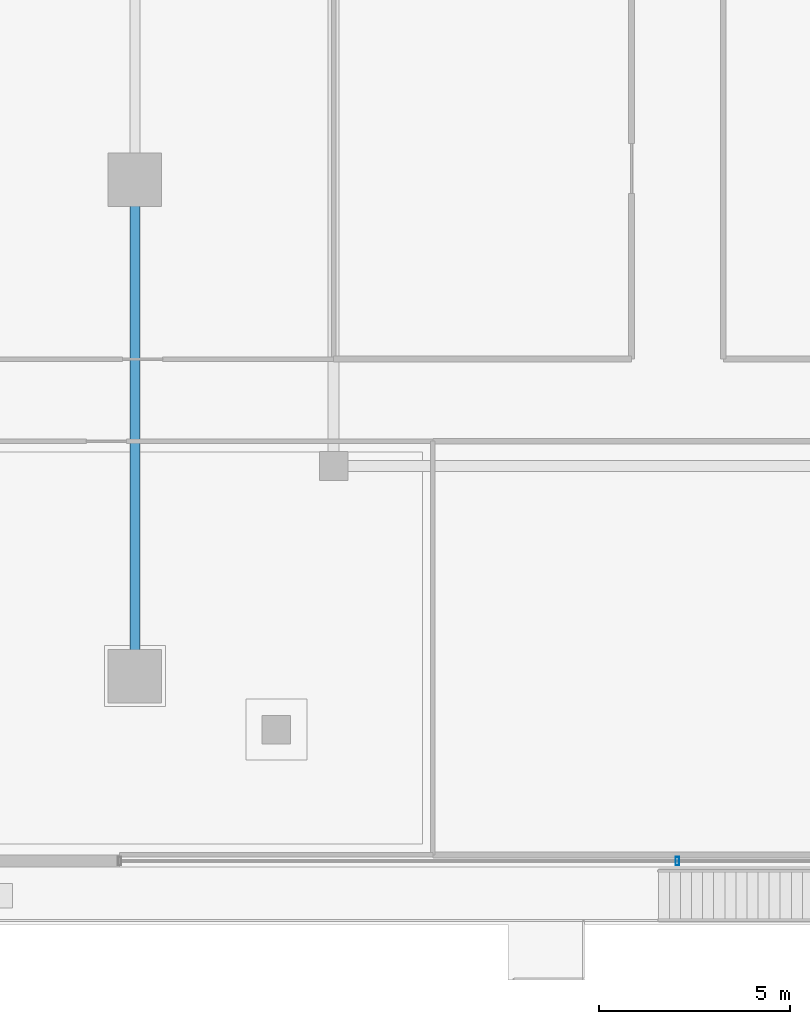
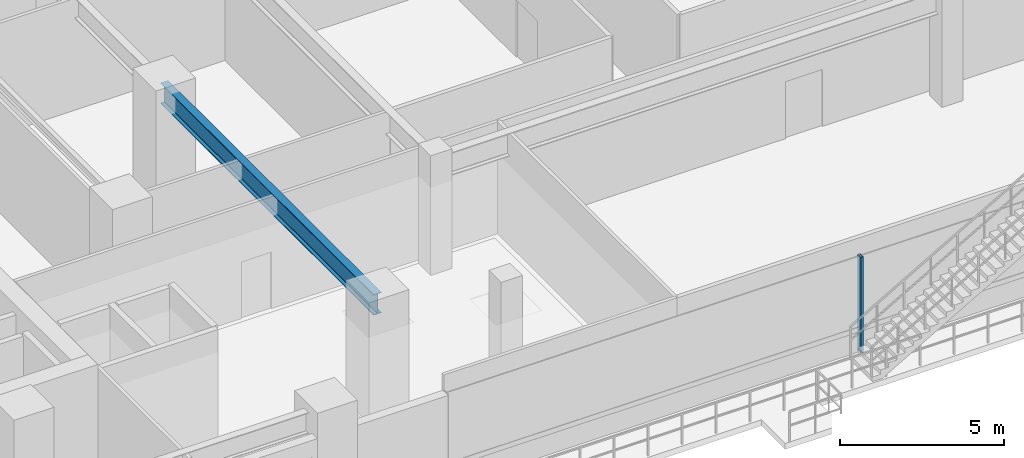
# One storey, part 3 of 24: 1 beam, 1 member, 1 element without a shape of its own.
"""IFC4 building model written with IfcOpenShell, lengths in metres."""

import ifcopenshell
import ifcopenshell.guid

model = None  # the IFC model being written
_history = None  # IfcOwnerHistory: only IFC2X3 demands one
_inside = {}  # id of a spatial element -> (the spatial element, [elements in it])
_under = {}  # id of a project, library or spatial element -> (it, [spatial elements below it])
_declared = {}  # id of a project -> (the project, [libraries it declares])
_typed = {}  # id of a type object -> (the type object, [elements of that type])
_made_of = {}  # id of a material, layer set ... -> (it, [elements and type objects made of it])


def new_model(schema):
    """Start an empty IFC model of exactly this schema.

    Asked for "IFC4X3", IfcOpenShell would pick the latest addendum, in which some entities
    have other attributes; the version numbers below select the first issue.
    IFC2X3 requires an IfcOwnerHistory on every rooted entity: one is made here for all.
    """
    global model, _history
    if schema == "IFC4X3":
        model = ifcopenshell.file(schema_version=(4, 3, 0, 0))
    else:
        model = ifcopenshell.file(schema=schema)
    _inside.clear()
    _under.clear()
    _declared.clear()
    _typed.clear()
    _made_of.clear()
    _history = None
    if model.schema == "IFC2X3":
        org = make("IfcOrganization", Name="unknown")
        user = make(
            "IfcPersonAndOrganization",
            ThePerson=make("IfcPerson", FamilyName="unknown"),
            TheOrganization=org,
        )
        app = make(
            "IfcApplication",
            ApplicationDeveloper=org,
            Version="unknown",
            ApplicationFullName="unknown",
            ApplicationIdentifier="unknown",
        )
        _history = make(
            "IfcOwnerHistory",
            OwningUser=user,
            OwningApplication=app,
            ChangeAction="ADDED",
            CreationDate=0,
        )
    return model


def make(cls, **values):
    """One entity of the class cls with the attributes given. An attribute that is None is left unset."""
    return model.create_entity(
        cls, **{name: value for name, value in values.items() if value is not None}
    )


def rooted(cls, **values):
    """An entity with a GlobalId (a new one), such as an element, a storey or a relation."""
    return make(cls, GlobalId=ifcopenshell.guid.new(), OwnerHistory=_history, **values)


def si_unit(unit_type, name, prefix=None):
    """IfcSIUnit, for example si_unit("LENGTHUNIT", "METRE", prefix="MILLI")."""
    return make("IfcSIUnit", UnitType=unit_type, Prefix=prefix, Name=name)


def assignment(units):
    """IfcUnitAssignment: the units of a project."""
    return None if units is None else make("IfcUnitAssignment", Units=units)


def point(xyz):
    """IfcCartesianPoint."""
    return None if xyz is None else make("IfcCartesianPoint", Coordinates=xyz)


def direction(xyz):
    """IfcDirection."""
    return None if xyz is None else make("IfcDirection", DirectionRatios=xyz)


def frame(location, z_axis=None, x_axis=None):
    """IfcAxis2Placement3D, a coordinate frame: its origin and axes. An axis left out is left unset."""
    return make(
        "IfcAxis2Placement3D",
        Location=point(location),
        Axis=direction(z_axis),
        RefDirection=direction(x_axis),
    )


def frame_2d(location, x_axis=None):
    """IfcAxis2Placement2D, a coordinate frame in the plane: its origin and x axis."""
    return make(
        "IfcAxis2Placement2D", Location=point(location), RefDirection=direction(x_axis)
    )


def origin():
    """The frame at (0, 0, 0) with its axes left unset."""
    return frame((0.0, 0.0, 0.0))


def origin_2d():
    """The frame at (0, 0) in the plane with its x axis left unset."""
    return frame_2d((0.0, 0.0))


def place(relative_to, where):
    """IfcLocalPlacement: puts the frame where relative to a parent placement (None: the world)."""
    return make(
        "IfcLocalPlacement", PlacementRelTo=relative_to, RelativePlacement=where
    )


def context(
    kind, dimensions, precision=None, world=None, true_north=None, identifier=None
):
    """IfcGeometricRepresentationContext, for example the 3D "Model" context."""
    return make(
        "IfcGeometricRepresentationContext",
        ContextIdentifier=identifier,
        ContextType=kind,
        CoordinateSpaceDimension=dimensions,
        Precision=precision,
        WorldCoordinateSystem=world,
        TrueNorth=true_north,
    )


def subcontext(parent, identifier, kind, view, scale=None):
    """IfcGeometricRepresentationSubContext, for example "Body" below "Model"."""
    return make(
        "IfcGeometricRepresentationSubContext",
        ContextIdentifier=identifier,
        ContextType=kind,
        ParentContext=parent,
        TargetScale=scale,
        TargetView=view,
    )


def project(units=None, contexts=None):
    """IfcProject with its units and contexts."""
    return rooted(
        "IfcProject",
        Name="project",
        RepresentationContexts=contexts,
        UnitsInContext=assignment(units),
    )


def spatial(cls, under=None, at=None, **own):
    """A site, building, storey or space (cls), placed at a placement, below another one or the project."""
    s = rooted(cls, ObjectPlacement=at, **own)
    if under is not None:
        _under.setdefault(under.id(), (under, []))[1].append(s)
    return s


def profile(cls, at=None, kind="AREA", **sizes):
    """A parametric profile (cls). Its sizes go by their IFC names, for example OverallWidth=200.0."""
    return make(cls, ProfileType=kind, Position=at, **sizes)


def hollow_rectangle(**sizes):
    """IfcRectangleHollowProfileDef."""
    return profile("IfcRectangleHollowProfileDef", **sizes)


def i_section(**sizes):
    """IfcIShapeProfileDef."""
    return profile("IfcIShapeProfileDef", **sizes)


def extrude(swept, where, along, depth):
    """IfcExtrudedAreaSolid: the profile swept, set in the frame where, extruded along a direction by depth."""
    return make(
        "IfcExtrudedAreaSolid",
        SweptArea=swept,
        Position=where,
        ExtrudedDirection=direction(along),
        Depth=depth,
    )


def shape(context_of_items, identifier, shape_type, items):
    """IfcShapeRepresentation: the items that make up one representation, for example the "Body"."""
    return make(
        "IfcShapeRepresentation",
        ContextOfItems=context_of_items,
        RepresentationIdentifier=identifier,
        RepresentationType=shape_type,
        Items=items,
    )


def material(Name=None, Category=None):
    """IfcMaterial."""
    return make("IfcMaterial", Name=Name, Category=Category)


def material_profile(
    of_material, cross_section, Name=None, Category=None, Priority=None
):
    """IfcMaterialProfile: a cross section and its material."""
    return make(
        "IfcMaterialProfile",
        Name=Name,
        Material=of_material,
        Profile=cross_section,
        Priority=Priority,
        Category=Category,
    )


def profile_set(profiles, Name=None, composite=None):
    """IfcMaterialProfileSet."""
    return make(
        "IfcMaterialProfileSet",
        Name=Name,
        MaterialProfiles=profiles,
        CompositeProfile=composite,
    )


def made_of(thing, what):
    """Note that an element or type object is made of a material, layer set ...; save() writes the relation."""
    if what is not None:
        _made_of.setdefault(what.id(), (what, []))[1].append(thing)
    return thing


def type_object(cls, material=None, **own):
    """A type object (cls), such as IfcWallType, which elements share."""
    return made_of(rooted(cls, **own), material)


def element(
    cls,
    number,
    at=None,
    inside=None,
    cuts=None,
    type_object=None,
    material=None,
    context=None,
    identifier="Body",
    shape_type=None,
    held_by="IfcProductDefinitionShape",
    body=None,
    shapes=None,
    **own,
):
    """One element of the class cls, such as IfcWall. Its Tag is "e" and its number.

    at: its placement. inside: the storey or other place that contains it. cuts: it is an
    opening in that element (IfcRelVoidsElement). A single representation is given by context,
    identifier, shape_type and body (its items); several are given by shapes. held_by: the class
    of the entity that holds the representations. save() writes the other relations.
    """
    e = rooted(cls, Tag="e%d" % number, ObjectPlacement=at, **own)
    if body is not None:
        shapes = [shape(context, identifier, shape_type, body)]
    if shapes is not None:
        e.Representation = make(held_by, Representations=shapes)
    if inside is not None:
        _inside.setdefault(inside.id(), (inside, []))[1].append(e)
    if cuts is not None:
        rooted(
            "IfcRelVoidsElement", RelatingBuildingElement=cuts, RelatedOpeningElement=e
        )
    if type_object is not None:
        _typed.setdefault(type_object.id(), (type_object, []))[1].append(e)
    return made_of(e, material)


def aggregate(whole, parts):
    """IfcRelAggregates: a whole, such as a stair, and the parts it consists of."""
    return rooted("IfcRelAggregates", RelatingObject=whole, RelatedObjects=parts)


def save(model, path):
    """Write the relations noted so far, then the file.

    IfcRelAggregates (storeys below a building ...), IfcRelContainedInSpatialStructure (elements
    in a storey), IfcRelDefinesByType, IfcRelAssociatesMaterial and IfcRelDeclares: one each for
    every whole, place, type object, material and project.
    """
    for whole, parts in _under.values():
        aggregate(whole, parts)
    for where, things in _inside.values():
        rooted(
            "IfcRelContainedInSpatialStructure",
            RelatedElements=things,
            RelatingStructure=where,
        )
    for kind, things in _typed.values():
        rooted("IfcRelDefinesByType", RelatedObjects=things, RelatingType=kind)
    for what, things in _made_of.values():
        rooted("IfcRelAssociatesMaterial", RelatedObjects=things, RelatingMaterial=what)
    for by, libraries in _declared.values():
        rooted("IfcRelDeclares", RelatingContext=by, RelatedDefinitions=libraries)
    model.write(path)


model = new_model("IFC4")

# Units and contexts
model_context = context("Model", 3, precision=1e-05, world=origin(), true_north=direction((0.0, 1.0)))
body_context = subcontext(model_context, "Body", "Model", "MODEL_VIEW")
ifc_project = project(units=[si_unit("LENGTHUNIT", "METRE"), si_unit("AREAUNIT", "SQUARE_METRE"), si_unit("VOLUMEUNIT", "CUBIC_METRE"), si_unit("PLANEANGLEUNIT", "RADIAN"), si_unit("MASSUNIT", "GRAM", prefix="KILO")], contexts=[model_context])

# Site, building, storey
site_placement = place(None, origin())
site = spatial("IfcSite", under=ifc_project, at=site_placement, CompositionType="ELEMENT")
building_placement = place(site_placement, origin())
building = spatial("IfcBuilding", under=site, at=building_placement, Name="Thornwick Lancets Civic Towers", CompositionType="ELEMENT")
storey_placement = place(building_placement, frame((0.0, 0.0, 14.10009765625)))
storey = spatial("IfcBuildingStorey", under=building, at=storey_placement, Name="L03", CompositionType="ELEMENT", Elevation=14.10009765625)

# Beam
ifc_material_1 = material(Name="Steel S355JR", Category="steel")
ifc_material_profile_1 = material_profile(ifc_material_1, i_section(OverallWidth=0.26806640625, OverallDepth=0.769775390625, WebThickness=0.015625, FlangeThickness=0.025390625, FilletRadius=0.0166015625, at=origin_2d()), Name="UKB 762x267x197")
ifc_profile_set_1 = profile_set([ifc_material_profile_1], Name="Steel S355JR")
beam_type = type_object("IfcBeamType", Name="BM_GIRD_762_197", PredefinedType="BEAM", material=ifc_profile_set_1)
beam_placement = place(storey_placement, frame((42.800048828125, 14.0, 3.794921875), z_axis=(0.0, 1.0, 0.0), x_axis=(-1.0, 0.0, 0.0)))
element("IfcBeam", 1, at=beam_placement, inside=storey, type_object=beam_type, Name="BM-SPINE-L03-A-3-4", PredefinedType="BEAM", context=body_context, shape_type="SweptSolid", body=[
    extrude(i_section(OverallWidth=0.26806640625, OverallDepth=0.769775390625, WebThickness=0.015625, FlangeThickness=0.025390625, FilletRadius=0.0166015625, at=origin_2d()), origin(), (0.0, 0.0, 1.0), 13.0),
])

# Curtain wall, member
ifc_material_2 = material(Name="Terracotta-trimmed cascading podium ribbon curtain wall", Category="masonry")
curtain_wall_type = type_object("IfcCurtainWallType", Name="CW_SYS_02", PredefinedType="NOTDEFINED", material=ifc_material_2)
curtain_wall_placement = place(storey_placement, origin())
curtain_wall = element("IfcCurtainWall", 2, at=curtain_wall_placement, inside=storey, type_object=curtain_wall_type, Name="L03 Curtain Wall CW-L03-POD-SC", PredefinedType="NOTDEFINED")
ifc_material_3 = material(Name="Thermally broken bronze aluminium S355", Category="steel")
ifc_material_profile_2 = material_profile(ifc_material_3, hollow_rectangle(XDim=0.090087890625, YDim=0.219970703125, WallThickness=0.00634765625, at=origin_2d()), Name="RHS 220x90x6.3")
ifc_profile_set_2 = profile_set([ifc_material_profile_2], Name="Thermally broken bronze aluminium S355")
member_type = type_object("IfcMemberType", Name="CW_MUL_220", PredefinedType="MULLION", material=ifc_profile_set_2)
member_placement = place(storey_placement, frame((57.0, 9.159912109375, 0.0), z_axis=(0.0, 0.0, 1.0), x_axis=(1.0, 0.0, 0.0)))
member = element("IfcMember", 3, at=member_placement, type_object=member_type, Name="CW-L03-POD-SC Mullion 1", PredefinedType="MULLION", context=body_context, shape_type="SweptSolid", body=[
    extrude(hollow_rectangle(XDim=0.090087890625, YDim=0.219970703125, WallThickness=0.00634765625, at=origin_2d()), origin(), (0.0, 0.0, 1.0), 3.559814453125),
])
aggregate(curtain_wall, [member])

save(model, "model.ifc")
